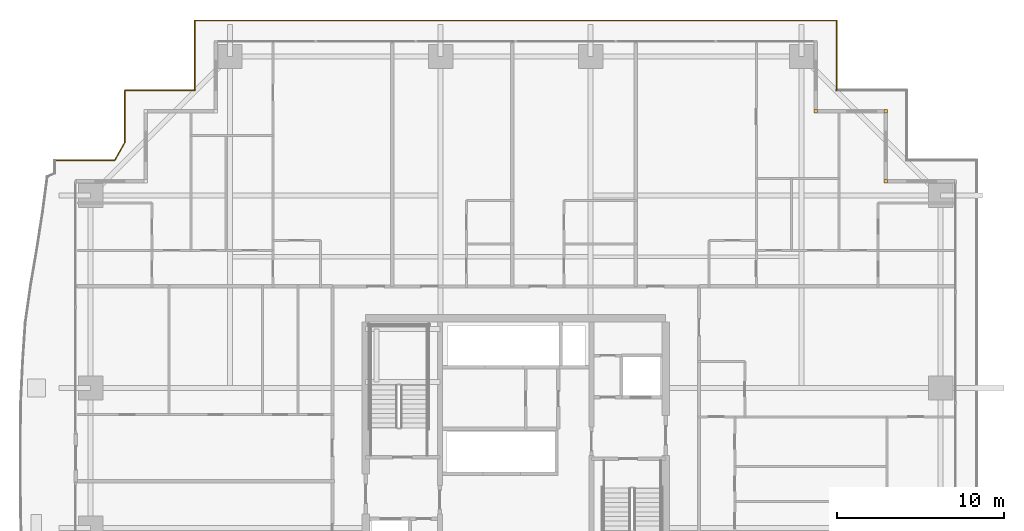
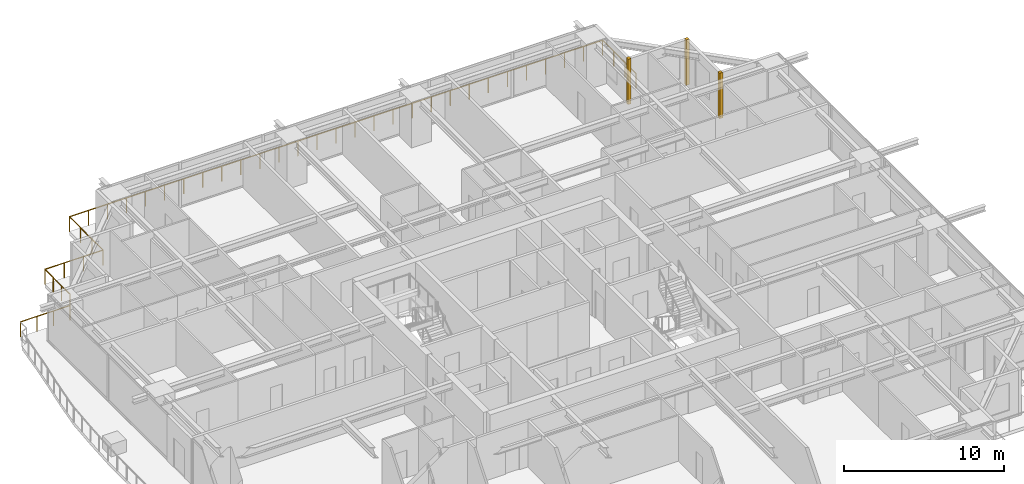
# One storey, part 41 of 41: 3 coverings, 1 railing.
"""IFC4 building model written with IfcOpenShell, lengths in metres."""

from ifc_helpers import new_model, si_unit, direction, frame, origin, origin_2d, place, context, subcontext, project, spatial, rectangle, circle, extrude, source, transform, mapped, material, layer, layer_set, type_object, element, save


model = new_model("IFC4")

# Units and contexts
model_context = context("Model", 3, precision=1e-05, world=origin(), true_north=direction((0.0, 1.0)))
body_context = subcontext(model_context, "Body", "Model", "MODEL_VIEW")
ifc_project = project(units=[si_unit("LENGTHUNIT", "METRE"), si_unit("AREAUNIT", "SQUARE_METRE"), si_unit("VOLUMEUNIT", "CUBIC_METRE"), si_unit("PLANEANGLEUNIT", "RADIAN"), si_unit("MASSUNIT", "GRAM", prefix="KILO")], contexts=[model_context])

# Site, building, storey
site_placement = place(None, origin())
site = spatial("IfcSite", under=ifc_project, at=site_placement, CompositionType="ELEMENT")
building_placement = place(site_placement, origin())
building = spatial("IfcBuilding", under=site, at=building_placement, Name="Serunith Strait Residences", CompositionType="ELEMENT")
storey_placement = place(building_placement, frame((0.0, 0.0, 45.449951171875)))
storey = spatial("IfcBuildingStorey", under=building, at=storey_placement, Name="L10", CompositionType="ELEMENT", Elevation=45.449951171875)

# Railing
ifc_material_1 = material(Name="Stainless Steel & Laminated Glass Balustrade", Category="steel")
railing_type = type_object("IfcRailingType", Name="RLG-BALC-1150", PredefinedType="BALUSTRADE", material=ifc_material_1)
railing_placement = place(storey_placement, frame((4.739990234375, 43.06005859375, -0.050048828125)))
element("IfcRailing", 1, at=railing_placement, inside=storey, type_object=railing_type, Name="L10 Swirling Balcony Perimeter Balustrade 4", PredefinedType="BALUSTRADE", context=body_context, shape_type="SweptSolid", body=[
    extrude(circle(Radius=0.02392578125, at=origin_2d()), frame((0.001953125, 0.0, 1.1259765625), z_axis=(1.0, 0.0, 0.0), x_axis=(0.0, 1.0, 0.0)), (0.0, 0.0, 1.0), 3.589111328125),
    extrude(circle(Radius=0.02392578125, at=origin_2d()), frame((3.593994140625, 0.001708984375, 1.1259765625), z_axis=(0.495151929941, 0.86880640322, 0.0), x_axis=(-0.86880640322, 0.495151929941, 0.0)), (0.0, 0.0, 1.0), 1.2216796875),
    extrude(circle(Radius=0.02392578125, at=origin_2d()), frame((4.199951171875, 1.06689453125, 1.1259765625), z_axis=(0.0, 1.0, 0.0), x_axis=(-1.0, 0.0, 0.0)), (0.0, 0.0, 1.0), 3.131103515625),
    extrude(circle(Radius=0.02392578125, at=origin_2d()), frame((4.201904296875, 4.199951171875, 1.1259765625), z_axis=(1.0, 0.0, 0.0), x_axis=(0.0, 1.0, 0.0)), (0.0, 0.0, 1.0), 4.196044921875),
    extrude(circle(Radius=0.02392578125, at=origin_2d()), frame((8.39990234375, 4.201904296875, 1.1259765625), z_axis=(0.0, 1.0, 0.0), x_axis=(-1.0, 0.0, 0.0)), (0.0, 0.0, 1.0), 4.196044921875),
    extrude(circle(Radius=0.02392578125, at=origin_2d()), frame((8.40185546875, 8.39990234375, 1.1259765625), z_axis=(1.0, 0.0, 0.0), x_axis=(0.0, 1.0, 0.0)), (0.0, 0.0, 1.0), 38.51611328125),
    extrude(circle(Radius=0.02392578125, at=origin_2d()), frame((46.919921875, 8.39794921875, 1.1259765625), z_axis=(0.0, -1.0, 0.0), x_axis=(1.0, 0.0, 0.0)), (0.0, 0.0, 1.0), 4.196044921875),
    extrude(circle(Radius=0.02099609375, at=origin_2d()), origin(), (0.0, 0.0, 1.0), 1.099853515625),
    extrude(circle(Radius=0.02099609375, at=origin_2d()), frame((1.19775390625, 0.0, 0.0)), (0.0, 0.0, 1.0), 1.099853515625),
    extrude(circle(Radius=0.02099609375, at=origin_2d()), frame((2.395263671875, 0.0, 0.0)), (0.0, 0.0, 1.0), 1.099853515625),
    extrude(circle(Radius=0.02099609375, at=origin_2d()), frame((3.593017578125, 0.0, 0.0)), (0.0, 0.0, 1.0), 1.099853515625),
    extrude(circle(Radius=0.02099609375, at=origin_2d()), frame((4.199951171875, 1.06494140625, 0.0)), (0.0, 0.0, 1.0), 1.099853515625),
    extrude(circle(Radius=0.02099609375, at=origin_2d()), frame((4.199951171875, 2.10986328125, 0.0)), (0.0, 0.0, 1.0), 1.099853515625),
    extrude(circle(Radius=0.02099609375, at=origin_2d()), frame((4.199951171875, 3.155029296875, 0.0)), (0.0, 0.0, 1.0), 1.099853515625),
    extrude(circle(Radius=0.02099609375, at=origin_2d()), frame((4.199951171875, 4.199951171875, 0.0)), (0.0, 0.0, 1.0), 1.099853515625),
    extrude(circle(Radius=0.02099609375, at=origin_2d()), frame((5.599853515625, 4.199951171875, 0.0)), (0.0, 0.0, 1.0), 1.099853515625),
    extrude(circle(Radius=0.02099609375, at=origin_2d()), frame((7.0, 4.199951171875, 0.0)), (0.0, 0.0, 1.0), 1.099853515625),
    extrude(circle(Radius=0.02099609375, at=origin_2d()), frame((8.39990234375, 4.199951171875, 0.0)), (0.0, 0.0, 1.0), 1.099853515625),
    extrude(circle(Radius=0.02099609375, at=origin_2d()), frame((8.39990234375, 5.599853515625, 0.0)), (0.0, 0.0, 1.0), 1.099853515625),
    extrude(circle(Radius=0.02099609375, at=origin_2d()), frame((8.39990234375, 7.0, 0.0)), (0.0, 0.0, 1.0), 1.099853515625),
    extrude(circle(Radius=0.02099609375, at=origin_2d()), frame((8.39990234375, 8.39990234375, 0.0)), (0.0, 0.0, 1.0), 1.099853515625),
    extrude(circle(Radius=0.02099609375, at=origin_2d()), frame((9.775634765625, 8.39990234375, 0.0)), (0.0, 0.0, 1.0), 1.099853515625),
    extrude(circle(Radius=0.02099609375, at=origin_2d()), frame((11.1513671875, 8.39990234375, 0.0)), (0.0, 0.0, 1.0), 1.099853515625),
    extrude(circle(Radius=0.02099609375, at=origin_2d()), frame((12.527099609375, 8.39990234375, 0.0)), (0.0, 0.0, 1.0), 1.099853515625),
    extrude(circle(Radius=0.02099609375, at=origin_2d()), frame((13.90283203125, 8.39990234375, 0.0)), (0.0, 0.0, 1.0), 1.099853515625),
    extrude(circle(Radius=0.02099609375, at=origin_2d()), frame((15.278564453125, 8.39990234375, 0.0)), (0.0, 0.0, 1.0), 1.099853515625),
    extrude(circle(Radius=0.02099609375, at=origin_2d()), frame((16.654296875, 8.39990234375, 0.0)), (0.0, 0.0, 1.0), 1.099853515625),
    extrude(circle(Radius=0.02099609375, at=origin_2d()), frame((18.02978515625, 8.39990234375, 0.0)), (0.0, 0.0, 1.0), 1.099853515625),
    extrude(circle(Radius=0.02099609375, at=origin_2d()), frame((19.405517578125, 8.39990234375, 0.0)), (0.0, 0.0, 1.0), 1.099853515625),
    extrude(circle(Radius=0.02099609375, at=origin_2d()), frame((20.78125, 8.39990234375, 0.0)), (0.0, 0.0, 1.0), 1.099853515625),
    extrude(circle(Radius=0.02099609375, at=origin_2d()), frame((22.156982421875, 8.39990234375, 0.0)), (0.0, 0.0, 1.0), 1.099853515625),
    extrude(circle(Radius=0.02099609375, at=origin_2d()), frame((23.53271484375, 8.39990234375, 0.0)), (0.0, 0.0, 1.0), 1.099853515625),
    extrude(circle(Radius=0.02099609375, at=origin_2d()), frame((24.908447265625, 8.39990234375, 0.0)), (0.0, 0.0, 1.0), 1.099853515625),
    extrude(circle(Radius=0.02099609375, at=origin_2d()), frame((26.2841796875, 8.39990234375, 0.0)), (0.0, 0.0, 1.0), 1.099853515625),
    extrude(circle(Radius=0.02099609375, at=origin_2d()), frame((27.659912109375, 8.39990234375, 0.0)), (0.0, 0.0, 1.0), 1.099853515625),
    extrude(circle(Radius=0.02099609375, at=origin_2d()), frame((29.03564453125, 8.39990234375, 0.0)), (0.0, 0.0, 1.0), 1.099853515625),
    extrude(circle(Radius=0.02099609375, at=origin_2d()), frame((30.411376953125, 8.39990234375, 0.0)), (0.0, 0.0, 1.0), 1.099853515625),
    extrude(circle(Radius=0.02099609375, at=origin_2d()), frame((31.787109375, 8.39990234375, 0.0)), (0.0, 0.0, 1.0), 1.099853515625),
    extrude(circle(Radius=0.02099609375, at=origin_2d()), frame((33.162841796875, 8.39990234375, 0.0)), (0.0, 0.0, 1.0), 1.099853515625),
    extrude(circle(Radius=0.02099609375, at=origin_2d()), frame((34.53857421875, 8.39990234375, 0.0)), (0.0, 0.0, 1.0), 1.099853515625),
    extrude(circle(Radius=0.02099609375, at=origin_2d()), frame((35.914306640625, 8.39990234375, 0.0)), (0.0, 0.0, 1.0), 1.099853515625),
    extrude(circle(Radius=0.02099609375, at=origin_2d()), frame((37.2900390625, 8.39990234375, 0.0)), (0.0, 0.0, 1.0), 1.099853515625),
    extrude(circle(Radius=0.02099609375, at=origin_2d()), frame((38.66552734375, 8.39990234375, 0.0)), (0.0, 0.0, 1.0), 1.099853515625),
    extrude(circle(Radius=0.02099609375, at=origin_2d()), frame((40.041259765625, 8.39990234375, 0.0)), (0.0, 0.0, 1.0), 1.099853515625),
    extrude(circle(Radius=0.02099609375, at=origin_2d()), frame((41.4169921875, 8.39990234375, 0.0)), (0.0, 0.0, 1.0), 1.099853515625),
    extrude(circle(Radius=0.02099609375, at=origin_2d()), frame((42.792724609375, 8.39990234375, 0.0)), (0.0, 0.0, 1.0), 1.099853515625),
    extrude(circle(Radius=0.02099609375, at=origin_2d()), frame((44.16845703125, 8.39990234375, 0.0)), (0.0, 0.0, 1.0), 1.099853515625),
    extrude(circle(Radius=0.02099609375, at=origin_2d()), frame((45.544189453125, 8.39990234375, 0.0)), (0.0, 0.0, 1.0), 1.099853515625),
    extrude(circle(Radius=0.02099609375, at=origin_2d()), frame((46.919921875, 8.39990234375, 0.0)), (0.0, 0.0, 1.0), 1.099853515625),
    extrude(circle(Radius=0.02099609375, at=origin_2d()), frame((46.919921875, 7.0, 0.0)), (0.0, 0.0, 1.0), 1.099853515625),
    extrude(circle(Radius=0.02099609375, at=origin_2d()), frame((46.919921875, 5.599853515625, 0.0)), (0.0, 0.0, 1.0), 1.099853515625),
    extrude(circle(Radius=0.02099609375, at=origin_2d()), frame((46.919921875, 4.199951171875, 0.0)), (0.0, 0.0, 1.0), 1.099853515625),
])

# Coverings
ifc_material_2 = material(Name="Pale-Champagne Anodised Aluminium", Category="aluminium")
ifc_layer = layer(ifc_material_2, 0.219970703125, Name="Pale-Champagne Anodised Aluminium")
ifc_layer_set = layer_set([ifc_layer], Name="Pale-Champagne Anodised Aluminium")
covering_type = type_object("IfcCoveringType", Name="COV-CORN-TRIM", PredefinedType="CLADDING", material=ifc_layer_set)
shared_shape = source(origin(), body_context, "Body", "SweptSolid", [
    extrude(rectangle(XDim=0.221923828125, YDim=0.221923828125, at=origin_2d()), origin(), (0.0, 0.0, 1.0), 3.47509765625),
])
for number, where, z_axis, x_axis, name in (
    (2, (54.60009765625, 41.800048828125, 0.0), (0.0, 0.0, 1.0), (1.0, 0.0, 0.0), "L10 Girih Serrated Corner Trim Post 07"),
    (3, (54.60009765625, 46.0, 0.0), (0.0, 0.0, 1.0), (1.0, 0.0, 0.0), "L10 Girih Serrated Corner Trim Post 08"),
    (4, (50.39990234375, 46.0, 0.0), (0.0, 0.0, 1.0), (1.0, 0.0, 0.0), "L10 Girih Serrated Corner Trim Post 09"),
):
    element("IfcCovering", number, at=place(storey_placement, frame(where, z_axis=z_axis, x_axis=x_axis)), inside=storey, type_object=covering_type, Name=name, PredefinedType="CLADDING", context=body_context, shape_type="MappedRepresentation", body=[
        mapped(shared_shape, transform((0.0, 0.0, 0.0), scale=1.0)),
    ])

save(model, "model.ifc")
